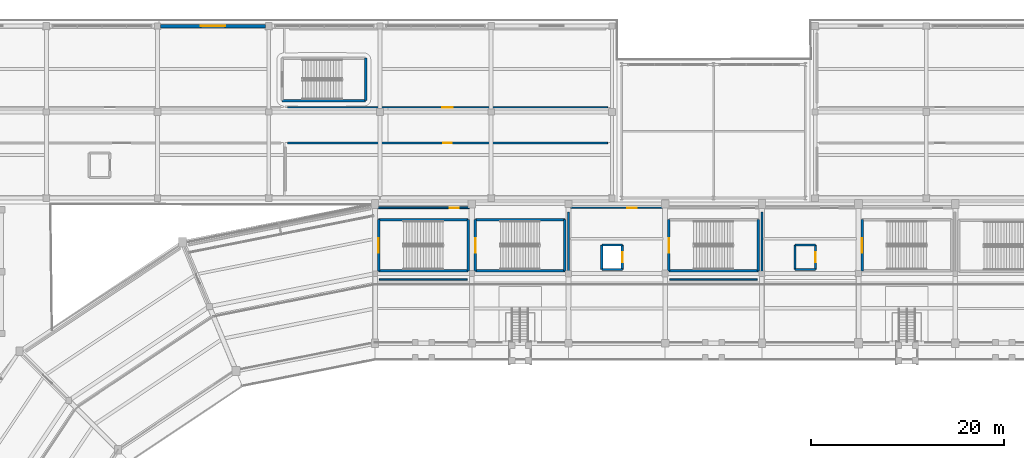
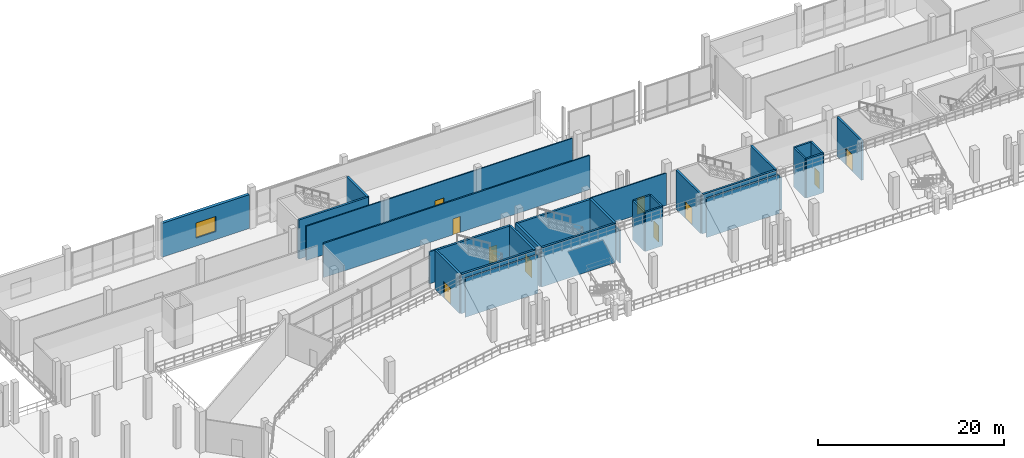
# One storey, part 83 of 127: 31 walls, 10 doors, 1 window, 11 openings.
"""IFC4 building model written with IfcOpenShell, lengths in metres."""

from ifc_helpers import new_model, si_unit, direction, frame, frame_2d, origin, place, context, subcontext, project, spatial, rectangle, extrude, material, layer, layer_set, type_object, element, fill, save


model = new_model("IFC4")

# Units and contexts
model_context = context("Model", 3, precision=1e-05, world=origin(), true_north=direction((0.0, 1.0)))
body_context = subcontext(model_context, "Body", "Model", "MODEL_VIEW")
ifc_project = project(units=[si_unit("LENGTHUNIT", "METRE"), si_unit("AREAUNIT", "SQUARE_METRE"), si_unit("VOLUMEUNIT", "CUBIC_METRE"), si_unit("PLANEANGLEUNIT", "RADIAN"), si_unit("MASSUNIT", "GRAM", prefix="KILO")], contexts=[model_context])

# Site, building, storey
site_placement = place(None, origin())
site = spatial("IfcSite", under=ifc_project, at=site_placement, CompositionType="ELEMENT")
building_placement = place(site_placement, origin())
building = spatial("IfcBuilding", under=site, at=building_placement, Name="Candeia Ridge Stadium", CompositionType="ELEMENT")
storey_placement = place(building_placement, frame((0.0, 0.0, 10.800048828125)))
storey = spatial("IfcBuildingStorey", under=building, at=storey_placement, Name="L02", CompositionType="ELEMENT", Elevation=10.800048828125)

# Wall, opening, door
ifc_material_1 = material(Name="Gypsum Metal-Stud Partition", Category="gypsum")
ifc_layer_1 = layer(ifc_material_1, 0.14501953125, Name="Gypsum Metal-Stud Partition", Category="gypsum")
ifc_layer_set_1 = layer_set([ifc_layer_1], Name="Gypsum Metal-Stud Partition")
wall_type_1 = type_object("IfcWallType", Name="Athlete Recovery Partition 145", PredefinedType="PARTITIONING", material=ifc_layer_set_1)
wall_1_placement = place(storey_placement, frame((95.050048828125, 157.0, 0.0), z_axis=(0.0, 0.0, 1.0), x_axis=(-1.0, 0.0, 0.0)))
wall_1 = element("IfcWall", 1, at=wall_1_placement, inside=storey, type_object=wall_type_1, Name="Interior partition PT-L02-0425", PredefinedType="PARTITIONING", context=body_context, shape_type="SweptSolid", body=[
    extrude(rectangle(XDim=33.10009765625, YDim=0.14501953125, at=frame_2d((16.550048828125, 0.0))), origin(), (0.0, 0.0, 1.0), 4.5048828125),
])
opening_1_placement = place(wall_1_placement, frame((16.010009765625, 0.0, 0.0)))
opening_1 = element("IfcOpeningElement", 2, at=opening_1_placement, cuts=wall_1, Name="Opening ID08", PredefinedType="OPENING", context=body_context, shape_type="SweptSolid", body=[
    extrude(rectangle(XDim=1.080078125, YDim=2.25, at=frame_2d((0.5400390625, 1.125))), frame((0.0, 0.08251953125, 0.0), z_axis=(0.0, -1.0, 0.0), x_axis=(1.0, 0.0, 0.0)), (0.0, 0.0, 1.0), 0.1650390625),
])
ifc_material_2 = material(Name="Western Red Cedar Acoustic Veneer", Category="wood")
door_type_1 = type_object("IfcDoorType", Name="Executive Skybox Entry Door 1080x2250", OperationType="NOTDEFINED", PredefinedType="DOOR", material=ifc_material_2)
door_1_placement = place(opening_1_placement, frame((1.080078125, 0.0, 0.0), z_axis=(0.0, 0.0, 1.0), x_axis=(-1.0, 0.0, 0.0)))
door_1 = element("IfcDoor", 3, at=door_1_placement, inside=storey, type_object=door_type_1, Name="Interior room door D-L02-0220", OperationType="SINGLE_SWING_RIGHT", OverallHeight=2.25, OverallWidth=1.080078125, PredefinedType="DOOR", context=body_context, shape_type="SweptSolid", body=[
    extrude(rectangle(XDim=1.080078125, YDim=2.25, at=frame_2d((0.5400390625, 1.125))), frame((0.0, 0.02490234375, 0.0), z_axis=(0.0, -1.0, 0.0), x_axis=(1.0, 0.0, 0.0)), (0.0, 0.0, 1.0), 0.050048828125),
])
fill(opening_1, door_1)

# Walls
ifc_material_3 = material(Name="Concrete C40/50", Category="concrete")
ifc_layer_2 = layer(ifc_material_3, 0.25, Name="Concrete C40/50", Category="concrete")
ifc_layer_set_2 = layer_set([ifc_layer_2], Name="Concrete C40/50")
wall_type_2 = type_object("IfcWallType", Name="Core Shear Wall Concrete 250", PredefinedType="SHEAR", material=ifc_layer_set_2)
wall_2_placement = place(storey_placement, frame((71.37548828125, 140.075439453125, 0.0), z_axis=(0.0, 0.0, 1.0), x_axis=(1.0, 0.0, 0.0)))
element("IfcWall", 4, at=wall_2_placement, inside=storey, type_object=wall_type_2, Name="Core C01 left shear wall L02", PredefinedType="SHEAR", context=body_context, shape_type="SweptSolid", body=[
    extrude(rectangle(XDim=9.2490234375, YDim=0.25, at=frame_2d((4.62451171875, 0.0))), origin(), (0.0, 0.0, 1.0), 5.14990234375),
])
wall_3_placement = place(storey_placement, frame((80.62451171875, 140.075439453125, 0.0), z_axis=(0.0, 0.0, 1.0), x_axis=(0.0, 1.0, 0.0)))
element("IfcWall", 5, at=wall_3_placement, inside=storey, type_object=wall_type_2, Name="Core C01 far shear wall L02", PredefinedType="SHEAR", context=body_context, shape_type="SweptSolid", body=[
    extrude(rectangle(XDim=5.299072265625, YDim=0.25, at=frame_2d((2.6494140625, 0.0))), origin(), (0.0, 0.0, 1.0), 5.14990234375),
])
wall_4_placement = place(storey_placement, frame((80.62451171875, 145.37451171875, 0.0), z_axis=(0.0, 0.0, 1.0), x_axis=(-1.0, 0.0, 0.0)))
element("IfcWall", 6, at=wall_4_placement, inside=storey, type_object=wall_type_2, Name="Core C01 right shear wall L02", PredefinedType="SHEAR", context=body_context, shape_type="SweptSolid", body=[
    extrude(rectangle(XDim=9.2490234375, YDim=0.25, at=frame_2d((4.62451171875, 0.0))), origin(), (0.0, 0.0, 1.0), 5.14990234375),
])

# Wall, opening, door
wall_5_placement = place(storey_placement, frame((71.37548828125, 145.37451171875, 0.0), z_axis=(0.0, 0.0, 1.0), x_axis=(0.0, -1.0, 0.0)))
wall_5 = element("IfcWall", 7, at=wall_5_placement, inside=storey, type_object=wall_type_2, Name="Core C01 near shear wall L02", PredefinedType="SHEAR", context=body_context, shape_type="SweptSolid", body=[
    extrude(rectangle(XDim=5.299072265625, YDim=0.25, at=frame_2d((2.6494140625, 0.0))), origin(), (0.0, 0.0, 1.0), 5.14990234375),
])
opening_2_placement = place(wall_5_placement, frame((1.899658203125, 0.0, 0.0)))
opening_2 = element("IfcOpeningElement", 8, at=opening_2_placement, cuts=wall_5, Name="Opening FD01", PredefinedType="OPENING", context=body_context, shape_type="SweptSolid", body=[
    extrude(rectangle(XDim=1.5, YDim=2.199951171875, at=frame_2d((0.75, 1.10009765625))), frame((0.0, 0.135009765625, 0.0), z_axis=(0.0, -1.0, 0.0), x_axis=(1.0, 0.0, 0.0)), (0.0, 0.0, 1.0), 0.27001953125),
])
ifc_material_4 = material(Name="Galvanized Fire-Rated Steel", Category="steel")
door_type_2 = type_object("IfcDoorType", Name="Exit Stair Core Fire Door 1500x2200", OperationType="NOTDEFINED", PredefinedType="DOOR", material=ifc_material_4)
door_2_placement = place(opening_2_placement, origin())
door_2 = element("IfcDoor", 9, at=door_2_placement, inside=storey, type_object=door_type_2, Name="Exit stair fire door SD-ST01-L02", OperationType="DOUBLE_DOOR_SINGLE_SWING", OverallHeight=2.199951171875, OverallWidth=1.5, PredefinedType="DOOR", context=body_context, shape_type="SweptSolid", body=[
    extrude(rectangle(XDim=1.5, YDim=2.199951171875, at=frame_2d((0.75, 1.10009765625))), frame((0.0, 0.02490234375, 0.0), z_axis=(0.0, -1.0, 0.0), x_axis=(1.0, 0.0, 0.0)), (0.0, 0.0, 1.0), 0.050048828125),
])
fill(opening_2, door_2)

# Walls
wall_6_placement = place(storey_placement, frame((81.37548828125, 140.075439453125, 0.0), z_axis=(0.0, 0.0, 1.0), x_axis=(1.0, 0.0, 0.0)))
element("IfcWall", 10, at=wall_6_placement, inside=storey, type_object=wall_type_2, Name="Core C09 left shear wall L02", PredefinedType="SHEAR", context=body_context, shape_type="SweptSolid", body=[
    extrude(rectangle(XDim=9.2490234375, YDim=0.25, at=frame_2d((4.62451171875, 0.0))), origin(), (0.0, 0.0, 1.0), 5.14990234375),
])
wall_7_placement = place(storey_placement, frame((90.62451171875, 140.075439453125, 0.0), z_axis=(0.0, 0.0, 1.0), x_axis=(0.0, 1.0, 0.0)))
element("IfcWall", 11, at=wall_7_placement, inside=storey, type_object=wall_type_2, Name="Core C09 far shear wall L02", PredefinedType="SHEAR", context=body_context, shape_type="SweptSolid", body=[
    extrude(rectangle(XDim=5.299072265625, YDim=0.25, at=frame_2d((2.6494140625, 0.0))), origin(), (0.0, 0.0, 1.0), 5.14990234375),
])
wall_8_placement = place(storey_placement, frame((90.62451171875, 145.37451171875, 0.0), z_axis=(0.0, 0.0, 1.0), x_axis=(-1.0, 0.0, 0.0)))
element("IfcWall", 12, at=wall_8_placement, inside=storey, type_object=wall_type_2, Name="Core C09 right shear wall L02", PredefinedType="SHEAR", context=body_context, shape_type="SweptSolid", body=[
    extrude(rectangle(XDim=9.2490234375, YDim=0.25, at=frame_2d((4.62451171875, 0.0))), origin(), (0.0, 0.0, 1.0), 5.14990234375),
])

# Wall, opening, door
wall_9_placement = place(storey_placement, frame((81.37548828125, 145.37451171875, 0.0), z_axis=(0.0, 0.0, 1.0), x_axis=(0.0, -1.0, 0.0)))
wall_9 = element("IfcWall", 13, at=wall_9_placement, inside=storey, type_object=wall_type_2, Name="Core C09 near shear wall L02", PredefinedType="SHEAR", context=body_context, shape_type="SweptSolid", body=[
    extrude(rectangle(XDim=5.299072265625, YDim=0.25, at=frame_2d((2.6494140625, 0.0))), origin(), (0.0, 0.0, 1.0), 5.14990234375),
])
opening_3_placement = place(wall_9_placement, frame((1.899658203125, 0.0, 0.0)))
opening_3 = element("IfcOpeningElement", 14, at=opening_3_placement, cuts=wall_9, Name="Opening FD01", PredefinedType="OPENING", context=body_context, shape_type="SweptSolid", body=[
    extrude(rectangle(XDim=1.5, YDim=2.199951171875, at=frame_2d((0.75, 1.10009765625))), frame((0.0, 0.135009765625, 0.0), z_axis=(0.0, -1.0, 0.0), x_axis=(1.0, 0.0, 0.0)), (0.0, 0.0, 1.0), 0.27001953125),
])
door_3_placement = place(opening_3_placement, origin())
door_3 = element("IfcDoor", 15, at=door_3_placement, inside=storey, type_object=door_type_2, Name="Exit stair fire door SD-ST09-L02", OperationType="DOUBLE_DOOR_SINGLE_SWING", OverallHeight=2.199951171875, OverallWidth=1.5, PredefinedType="DOOR", context=body_context, shape_type="SweptSolid", body=[
    extrude(rectangle(XDim=1.5, YDim=2.199951171875, at=frame_2d((0.75, 1.10009765625))), frame((0.0, 0.02490234375, 0.0), z_axis=(0.0, -1.0, 0.0), x_axis=(1.0, 0.0, 0.0)), (0.0, 0.0, 1.0), 0.050048828125),
])
fill(opening_3, door_3)

wall_10_placement = place(storey_placement, frame((121.37548828125, 145.37451171875, 0.0), z_axis=(0.0, 0.0, 1.0), x_axis=(0.0, -1.0, 0.0)))
wall_10 = element("IfcWall", 16, at=wall_10_placement, inside=storey, type_object=wall_type_2, Name="Core C10 near shear wall L02", PredefinedType="SHEAR", context=body_context, shape_type="SweptSolid", body=[
    extrude(rectangle(XDim=5.299072265625, YDim=0.25, at=frame_2d((2.6494140625, 0.0))), origin(), (0.0, 0.0, 1.0), 5.14990234375),
])
opening_4_placement = place(wall_10_placement, frame((1.899658203125, 0.0, 0.0)))
opening_4 = element("IfcOpeningElement", 17, at=opening_4_placement, cuts=wall_10, Name="Opening FD01", PredefinedType="OPENING", context=body_context, shape_type="SweptSolid", body=[
    extrude(rectangle(XDim=1.5, YDim=2.199951171875, at=frame_2d((0.75, 1.10009765625))), frame((0.0, 0.135009765625, 0.0), z_axis=(0.0, -1.0, 0.0), x_axis=(1.0, 0.0, 0.0)), (0.0, 0.0, 1.0), 0.27001953125),
])
door_4_placement = place(opening_4_placement, origin())
door_4 = element("IfcDoor", 18, at=door_4_placement, inside=storey, type_object=door_type_2, Name="Exit stair fire door SD-ST10-L02", OperationType="DOUBLE_DOOR_SINGLE_SWING", OverallHeight=2.199951171875, OverallWidth=1.5, PredefinedType="DOOR", context=body_context, shape_type="SweptSolid", body=[
    extrude(rectangle(XDim=1.5, YDim=2.199951171875, at=frame_2d((0.75, 1.10009765625))), frame((0.0, 0.02490234375, 0.0), z_axis=(0.0, -1.0, 0.0), x_axis=(1.0, 0.0, 0.0)), (0.0, 0.0, 1.0), 0.050048828125),
])
fill(opening_4, door_4)

# Walls
wall_11_placement = place(storey_placement, frame((61.37548828125, 157.67529296875, 0.0), z_axis=(0.0, 0.0, 1.0), x_axis=(1.0, 0.0, 0.0)))
element("IfcWall", 19, at=wall_11_placement, inside=storey, type_object=wall_type_2, Name="Core C15 left shear wall L02", PredefinedType="SHEAR", context=body_context, shape_type="SweptSolid", body=[
    extrude(rectangle(XDim=8.649169921875, YDim=0.25, at=frame_2d((4.32470703125, 0.0))), origin(), (0.0, 0.0, 1.0), 5.14990234375),
])
wall_12_placement = place(storey_placement, frame((70.024658203125, 157.67529296875, 0.0), z_axis=(0.0, 0.0, 1.0), x_axis=(0.0, 1.0, 0.0)))
element("IfcWall", 20, at=wall_12_placement, inside=storey, type_object=wall_type_2, Name="Core C15 far shear wall L02", PredefinedType="SHEAR", context=body_context, shape_type="SweptSolid", body=[
    extrude(rectangle(XDim=4.3994140625, YDim=0.25, at=frame_2d((2.19970703125, 0.0))), origin(), (0.0, 0.0, 1.0), 5.14990234375),
])
wall_13_placement = place(storey_placement, frame((101.37548828125, 140.075439453125, 0.0), z_axis=(0.0, 0.0, 1.0), x_axis=(1.0, 0.0, 0.0)))
element("IfcWall", 21, at=wall_13_placement, inside=storey, type_object=wall_type_2, Name="Core C17 left shear wall L02", PredefinedType="SHEAR", context=body_context, shape_type="SweptSolid", body=[
    extrude(rectangle(XDim=9.2490234375, YDim=0.25, at=frame_2d((4.62451171875, 0.0))), origin(), (0.0, 0.0, 1.0), 5.14990234375),
])
wall_14_placement = place(storey_placement, frame((110.62451171875, 140.075439453125, 0.0), z_axis=(0.0, 0.0, 1.0), x_axis=(0.0, 1.0, 0.0)))
element("IfcWall", 22, at=wall_14_placement, inside=storey, type_object=wall_type_2, Name="Core C17 far shear wall L02", PredefinedType="SHEAR", context=body_context, shape_type="SweptSolid", body=[
    extrude(rectangle(XDim=5.299072265625, YDim=0.25, at=frame_2d((2.6494140625, 0.0))), origin(), (0.0, 0.0, 1.0), 5.14990234375),
])

# Wall, opening, door
wall_15_placement = place(storey_placement, frame((101.37548828125, 145.37451171875, 0.0), z_axis=(0.0, 0.0, 1.0), x_axis=(0.0, -1.0, 0.0)))
wall_15 = element("IfcWall", 23, at=wall_15_placement, inside=storey, type_object=wall_type_2, Name="Core C17 near shear wall L02", PredefinedType="SHEAR", context=body_context, shape_type="SweptSolid", body=[
    extrude(rectangle(XDim=5.299072265625, YDim=0.25, at=frame_2d((2.6494140625, 0.0))), origin(), (0.0, 0.0, 1.0), 5.14990234375),
])
opening_5_placement = place(wall_15_placement, frame((1.899658203125, 0.0, 0.0)))
opening_5 = element("IfcOpeningElement", 24, at=opening_5_placement, cuts=wall_15, Name="Opening FD01", PredefinedType="OPENING", context=body_context, shape_type="SweptSolid", body=[
    extrude(rectangle(XDim=1.5, YDim=2.199951171875, at=frame_2d((0.75, 1.10009765625))), frame((0.0, 0.135009765625, 0.0), z_axis=(0.0, -1.0, 0.0), x_axis=(1.0, 0.0, 0.0)), (0.0, 0.0, 1.0), 0.27001953125),
])
door_5_placement = place(opening_5_placement, origin())
door_5 = element("IfcDoor", 25, at=door_5_placement, inside=storey, type_object=door_type_2, Name="Exit stair fire door SD-ST17-L02", OperationType="DOUBLE_DOOR_SINGLE_SWING", OverallHeight=2.199951171875, OverallWidth=1.5, PredefinedType="DOOR", context=body_context, shape_type="SweptSolid", body=[
    extrude(rectangle(XDim=1.5, YDim=2.199951171875, at=frame_2d((0.75, 1.10009765625))), frame((0.0, 0.02490234375, 0.0), z_axis=(0.0, -1.0, 0.0), x_axis=(1.0, 0.0, 0.0)), (0.0, 0.0, 1.0), 0.050048828125),
])
fill(opening_5, door_5)

# Wall, opening, window
ifc_layer_3 = layer(ifc_material_3, 0.360107421875, Name="Concrete C40/50", Category="concrete")
ifc_layer_set_3 = layer_set([ifc_layer_3], Name="Concrete C40/50")
wall_type_3 = type_object("IfcWallType", Name="Exterior Basalt Plinth Wall 360", PredefinedType="SOLIDWALL", material=ifc_layer_set_3)
wall_16_placement = place(storey_placement, frame((48.81298828125, 165.39990234375, 0.0), z_axis=(0.0, 0.0, 1.0), x_axis=(1.0, 0.0, 0.0)))
wall_16 = element("IfcWall", 26, at=wall_16_placement, inside=storey, type_object=wall_type_3, Name="Exterior facade wall EW-L02-0209", PredefinedType="SOLIDWALL", context=body_context, shape_type="SweptSolid", body=[
    extrude(rectangle(XDim=10.84912109375, YDim=0.360107421875, at=frame_2d((5.424560546875, 0.0))), origin(), (0.0, 0.0, 1.0), 4.454833984375),
])
opening_6_placement = place(wall_16_placement, frame((4.174560546875, 0.0, 1.050048828125)))
opening_6 = element("IfcOpeningElement", 27, at=opening_6_placement, cuts=wall_16, Name="Opening W13", PredefinedType="OPENING", context=body_context, shape_type="SweptSolid", body=[
    extrude(rectangle(XDim=2.5, YDim=2.0, at=frame_2d((1.25, 1.0))), frame((0.0, 0.18994140625, 0.0), z_axis=(0.0, -1.0, 0.0), x_axis=(1.0, 0.0, 0.0)), (0.0, 0.0, 1.0), 0.380126953125),
])
ifc_material_5 = material(Name="Tempered Solar-Control Double Glazing", Category="glass")
window_type = type_object("IfcWindowType", Name="Ticketing Hall Window 2500x2000", PartitioningType="SINGLE_PANEL", PredefinedType="WINDOW", material=ifc_material_5)
window_placement = place(opening_6_placement, origin())
window = element("IfcWindow", 28, at=window_placement, inside=storey, type_object=window_type, Name="Exterior window WIN-L02-116", OverallHeight=2.0, OverallWidth=2.5, PartitioningType="SINGLE_PANEL", PredefinedType="WINDOW", context=body_context, shape_type="SweptSolid", body=[
    extrude(rectangle(XDim=2.5, YDim=2.0, at=frame_2d((1.25, 1.0))), frame((0.0, 0.030029296875, 0.0), z_axis=(0.0, -1.0, 0.0), x_axis=(1.0, 0.0, 0.0)), (0.0, 0.0, 1.0), 0.06005859375),
])
fill(opening_6, window)

# Wall, opening, door
ifc_layer_4 = layer(ifc_material_1, 0.135009765625, Name="Gypsum Metal-Stud Partition", Category="gypsum")
ifc_layer_set_4 = layer_set([ifc_layer_4], Name="Gypsum Metal-Stud Partition")
wall_type_4 = type_object("IfcWallType", Name="General Room Partition 135", PredefinedType="PARTITIONING", material=ifc_layer_set_4)
wall_17_placement = place(storey_placement, frame((91.25, 146.60009765625, 0.0), z_axis=(0.0, 0.0, 1.0), x_axis=(1.0, 0.0, 0.0)))
wall_17 = element("IfcWall", 29, at=wall_17_placement, inside=storey, type_object=wall_type_4, Name="Interior partition PT-L02-0453", PredefinedType="PARTITIONING", context=body_context, shape_type="SweptSolid", body=[
    extrude(rectangle(XDim=9.4599609375, YDim=0.135009765625, at=frame_2d((4.72998046875, 0.0))), origin(), (0.0, 0.0, 1.0), 4.2548828125),
])
opening_7_placement = place(wall_17_placement, frame((5.85009765625, 0.0, 0.0)))
opening_7 = element("IfcOpeningElement", 30, at=opening_7_placement, cuts=wall_17, Name="Opening ID17", PredefinedType="OPENING", context=body_context, shape_type="SweptSolid", body=[
    extrude(rectangle(XDim=0.9599609375, YDim=2.14990234375, at=frame_2d((0.47998046875, 1.074951171875))), frame((0.0, 0.077392578125, 0.0), z_axis=(0.0, -1.0, 0.0), x_axis=(1.0, 0.0, 0.0)), (0.0, 0.0, 1.0), 0.155029296875),
])
ifc_material_6 = material(Name="Solid Core Cedar Veneer", Category="wood")
door_type_3 = type_object("IfcDoorType", Name="Ticketing Office Single Door 960x2150", OperationType="NOTDEFINED", PredefinedType="DOOR", material=ifc_material_6)
door_6_placement = place(opening_7_placement, origin())
door_6 = element("IfcDoor", 31, at=door_6_placement, inside=storey, type_object=door_type_3, Name="Interior room door D-L02-0234", OperationType="SINGLE_SWING_RIGHT", OverallHeight=2.14990234375, OverallWidth=0.9599609375, PredefinedType="DOOR", context=body_context, shape_type="SweptSolid", body=[
    extrude(rectangle(XDim=0.9599609375, YDim=2.14990234375, at=frame_2d((0.47998046875, 1.074951171875))), frame((0.0, 0.02490234375, 0.0), z_axis=(0.0, -1.0, 0.0), x_axis=(1.0, 0.0, 0.0)), (0.0, 0.0, 1.0), 0.050048828125),
])
fill(opening_7, door_6)

# Wall
ifc_layer_5 = layer(ifc_material_3, 0.219970703125, Name="Concrete C40/50", Category="concrete")
ifc_layer_set_5 = layer_set([ifc_layer_5], Name="Concrete C40/50")
wall_type_5 = type_object("IfcWallType", Name="Lift & Riser Shaft Wall 220", PredefinedType="SHEAR", material=ifc_layer_set_5)
wall_18_placement = place(storey_placement, frame((94.43994140625, 140.239990234375, 0.0), z_axis=(0.0, 0.0, 1.0), x_axis=(1.0, 0.0, 0.0)))
element("IfcWall", 32, at=wall_18_placement, inside=storey, type_object=wall_type_5, Name="Lift PL1 shaft wall L02 south", PredefinedType="SHEAR", context=body_context, shape_type="SweptSolid", body=[
    extrude(rectangle(XDim=2.1201171875, YDim=0.219970703125, at=frame_2d((1.06005859375, 0.0))), origin(), (0.0, 0.0, 1.0), 5.14990234375),
])

# Wall, opening, door
wall_19_placement = place(storey_placement, frame((96.56005859375, 140.239990234375, 0.0), z_axis=(0.0, 0.0, 1.0), x_axis=(0.0, 1.0, 0.0)))
wall_19 = element("IfcWall", 33, at=wall_19_placement, inside=storey, type_object=wall_type_5, Name="Lift PL1 shaft wall L02 east", PredefinedType="SHEAR", context=body_context, shape_type="SweptSolid", body=[
    extrude(rectangle(XDim=2.52001953125, YDim=0.219970703125, at=frame_2d((1.260009765625, 0.0))), origin(), (0.0, 0.0, 1.0), 5.14990234375),
])
opening_8_placement = place(wall_19_placement, frame((0.735107421875, 0.0, 0.0)))
opening_8 = element("IfcOpeningElement", 34, at=opening_8_placement, cuts=wall_19, Name="Opening LD02", PredefinedType="OPENING", context=body_context, shape_type="SweptSolid", body=[
    extrude(rectangle(XDim=1.050048828125, YDim=2.14990234375, at=frame_2d((0.52490234375, 1.074951171875))), frame((0.0, 0.119873046875, 0.0), z_axis=(0.0, -1.0, 0.0), x_axis=(1.0, 0.0, 0.0)), (0.0, 0.0, 1.0), 0.239990234375),
])
ifc_material_7 = material(Name="Brushed Stainless Steel", Category="steel")
door_type_4 = type_object("IfcDoorType", Name="Passenger Lift Landing Door 1050x2150", OperationType="NOTDEFINED", PredefinedType="DOOR", material=ifc_material_7)
door_7_placement = place(opening_8_placement, origin())
door_7 = element("IfcDoor", 35, at=door_7_placement, inside=storey, type_object=door_type_4, Name="Lift landing sliding door LD-PL1-L02", OperationType="DOUBLE_DOOR_SLIDING", OverallHeight=2.14990234375, OverallWidth=1.050048828125, PredefinedType="DOOR", context=body_context, shape_type="SweptSolid", body=[
    extrude(rectangle(XDim=1.050048828125, YDim=2.14990234375, at=frame_2d((0.52490234375, 1.074951171875))), frame((0.0, 0.02490234375, 0.0), z_axis=(0.0, -1.0, 0.0), x_axis=(1.0, 0.0, 0.0)), (0.0, 0.0, 1.0), 0.050048828125),
])
fill(opening_8, door_7)

# Walls
wall_20_placement = place(storey_placement, frame((96.56005859375, 142.760009765625, 0.0), z_axis=(0.0, 0.0, 1.0), x_axis=(-1.0, 0.0, 0.0)))
element("IfcWall", 36, at=wall_20_placement, inside=storey, type_object=wall_type_5, Name="Lift PL1 shaft wall L02 north", PredefinedType="SHEAR", context=body_context, shape_type="SweptSolid", body=[
    extrude(rectangle(XDim=2.1201171875, YDim=0.219970703125, at=frame_2d((1.06005859375, 0.0))), origin(), (0.0, 0.0, 1.0), 5.14990234375),
])
wall_21_placement = place(storey_placement, frame((94.43994140625, 142.760009765625, 0.0), z_axis=(0.0, 0.0, 1.0), x_axis=(0.0, -1.0, 0.0)))
element("IfcWall", 37, at=wall_21_placement, inside=storey, type_object=wall_type_5, Name="Lift PL1 shaft wall L02 west", PredefinedType="SHEAR", context=body_context, shape_type="SweptSolid", body=[
    extrude(rectangle(XDim=2.52001953125, YDim=0.219970703125, at=frame_2d((1.260009765625, 0.0))), origin(), (0.0, 0.0, 1.0), 5.14990234375),
])
wall_22_placement = place(storey_placement, frame((114.43994140625, 140.239990234375, 0.0), z_axis=(0.0, 0.0, 1.0), x_axis=(1.0, 0.0, 0.0)))
element("IfcWall", 38, at=wall_22_placement, inside=storey, type_object=wall_type_5, Name="Lift PL2 shaft wall L02 south", PredefinedType="SHEAR", context=body_context, shape_type="SweptSolid", body=[
    extrude(rectangle(XDim=2.1201171875, YDim=0.219970703125, at=frame_2d((1.06005859375, 0.0))), origin(), (0.0, 0.0, 1.0), 5.14990234375),
])

# Wall, opening, door
wall_23_placement = place(storey_placement, frame((116.56005859375, 140.239990234375, 0.0), z_axis=(0.0, 0.0, 1.0), x_axis=(0.0, 1.0, 0.0)))
wall_23 = element("IfcWall", 39, at=wall_23_placement, inside=storey, type_object=wall_type_5, Name="Lift PL2 shaft wall L02 east", PredefinedType="SHEAR", context=body_context, shape_type="SweptSolid", body=[
    extrude(rectangle(XDim=2.52001953125, YDim=0.219970703125, at=frame_2d((1.260009765625, 0.0))), origin(), (0.0, 0.0, 1.0), 5.14990234375),
])
opening_9_placement = place(wall_23_placement, frame((0.735107421875, 0.0, 0.0)))
opening_9 = element("IfcOpeningElement", 40, at=opening_9_placement, cuts=wall_23, Name="Opening LD02", PredefinedType="OPENING", context=body_context, shape_type="SweptSolid", body=[
    extrude(rectangle(XDim=1.050048828125, YDim=2.14990234375, at=frame_2d((0.52490234375, 1.074951171875))), frame((0.0, 0.119873046875, 0.0), z_axis=(0.0, -1.0, 0.0), x_axis=(1.0, 0.0, 0.0)), (0.0, 0.0, 1.0), 0.239990234375),
])
door_8_placement = place(opening_9_placement, origin())
door_8 = element("IfcDoor", 41, at=door_8_placement, inside=storey, type_object=door_type_4, Name="Lift landing sliding door LD-PL2-L02", OperationType="DOUBLE_DOOR_SLIDING", OverallHeight=2.14990234375, OverallWidth=1.050048828125, PredefinedType="DOOR", context=body_context, shape_type="SweptSolid", body=[
    extrude(rectangle(XDim=1.050048828125, YDim=2.14990234375, at=frame_2d((0.52490234375, 1.074951171875))), frame((0.0, 0.02490234375, 0.0), z_axis=(0.0, -1.0, 0.0), x_axis=(1.0, 0.0, 0.0)), (0.0, 0.0, 1.0), 0.050048828125),
])
fill(opening_9, door_8)

# Walls
wall_24_placement = place(storey_placement, frame((116.56005859375, 142.760009765625, 0.0), z_axis=(0.0, 0.0, 1.0), x_axis=(-1.0, 0.0, 0.0)))
element("IfcWall", 42, at=wall_24_placement, inside=storey, type_object=wall_type_5, Name="Lift PL2 shaft wall L02 north", PredefinedType="SHEAR", context=body_context, shape_type="SweptSolid", body=[
    extrude(rectangle(XDim=2.1201171875, YDim=0.219970703125, at=frame_2d((1.06005859375, 0.0))), origin(), (0.0, 0.0, 1.0), 5.14990234375),
])
wall_25_placement = place(storey_placement, frame((114.43994140625, 142.760009765625, 0.0), z_axis=(0.0, 0.0, 1.0), x_axis=(0.0, -1.0, 0.0)))
element("IfcWall", 43, at=wall_25_placement, inside=storey, type_object=wall_type_5, Name="Lift PL2 shaft wall L02 west", PredefinedType="SHEAR", context=body_context, shape_type="SweptSolid", body=[
    extrude(rectangle(XDim=2.52001953125, YDim=0.219970703125, at=frame_2d((1.260009765625, 0.0))), origin(), (0.0, 0.0, 1.0), 5.14990234375),
])

# Wall, opening, door
ifc_material_8 = material(Name="Gypsum Acoustic Twin-Stud Assembly", Category="gypsum")
ifc_layer_6 = layer(ifc_material_8, 0.175048828125, Name="Gypsum Acoustic Twin-Stud Assembly", Category="gypsum")
ifc_layer_set_6 = layer_set([ifc_layer_6], Name="Gypsum Acoustic Twin-Stud Assembly")
wall_type_6 = type_object("IfcWallType", Name="Museum Acoustic Gallery Wall 175", PredefinedType="PARTITIONING", material=ifc_layer_set_6)
wall_26_placement = place(storey_placement, frame((61.949951171875, 153.300048828125, 0.0), z_axis=(0.0, 0.0, 1.0), x_axis=(1.0, 0.0, 0.0)))
wall_26 = element("IfcWall", 44, at=wall_26_placement, inside=storey, type_object=wall_type_6, Name="Interior partition PT-L02-0423", PredefinedType="PARTITIONING", context=body_context, shape_type="SweptSolid", body=[
    extrude(rectangle(XDim=33.10009765625, YDim=0.175048828125, at=frame_2d((16.550048828125, 0.0))), origin(), (0.0, 0.0, 1.0), 4.5048828125),
])
opening_10_placement = place(wall_26_placement, frame((16.10009765625, 0.0, 0.0)))
opening_10 = element("IfcOpeningElement", 45, at=opening_10_placement, cuts=wall_26, Name="Opening ID07", PredefinedType="OPENING", context=body_context, shape_type="SweptSolid", body=[
    extrude(rectangle(XDim=0.89990234375, YDim=2.10009765625, at=frame_2d((0.449951171875, 1.050048828125))), frame((0.0, 0.097412109375, 0.0), z_axis=(0.0, -1.0, 0.0), x_axis=(1.0, 0.0, 0.0)), (0.0, 0.0, 1.0), 0.195068359375),
])
ifc_material_9 = material(Name="Moisture-Resistant Laminate", Category="wood")
door_type_5 = type_object("IfcDoorType", Name="Sanitary Lobby Single Door 900x2100", OperationType="NOTDEFINED", PredefinedType="DOOR", material=ifc_material_9)
door_9_placement = place(opening_10_placement, frame((0.89990234375, 0.0, 0.0), z_axis=(0.0, 0.0, 1.0), x_axis=(-1.0, 0.0, 0.0)))
door_9 = element("IfcDoor", 46, at=door_9_placement, inside=storey, type_object=door_type_5, Name="Interior room door D-L02-0219", OperationType="SINGLE_SWING_LEFT", OverallHeight=2.10009765625, OverallWidth=0.89990234375, PredefinedType="DOOR", context=body_context, shape_type="SweptSolid", body=[
    extrude(rectangle(XDim=0.89990234375, YDim=2.10009765625, at=frame_2d((0.449951171875, 1.050048828125))), frame((0.0, 0.02490234375, 0.0), z_axis=(0.0, -1.0, 0.0), x_axis=(1.0, 0.0, 0.0)), (0.0, 0.0, 1.0), 0.050048828125),
])
fill(opening_10, door_9)

# Walls
wall_27_placement = place(storey_placement, frame((110.510009765625, 139.199951171875, 0.0), z_axis=(0.0, 0.0, 1.0), x_axis=(-1.0, 0.0, 0.0)))
element("IfcWall", 47, at=wall_27_placement, inside=storey, type_object=wall_type_6, Name="Demising partition PT-L02-0452", PredefinedType="PARTITIONING", context=body_context, shape_type="SweptSolid", body=[
    extrude(rectangle(XDim=9.06005859375, YDim=0.175048828125, at=frame_2d((4.530029296875, 0.0))), origin(), (0.0, 0.0, 1.0), 5.119873046875),
])
ifc_material_10 = material(Name="Moisture-Resistant Masonry & Tile", Category="masonry")
ifc_layer_7 = layer(ifc_material_10, 0.2099609375, Name="Moisture-Resistant Masonry & Tile", Category="masonry")
ifc_layer_set_7 = layer_set([ifc_layer_7], Name="Moisture-Resistant Masonry & Tile")
wall_type_7 = type_object("IfcWallType", Name="Sanitary Wet-Wall Plumbing Chase 210", PredefinedType="PLUMBINGWALL", material=ifc_layer_set_7)
wall_28_placement = place(storey_placement, frame((111.0, 139.64990234375, 0.0), z_axis=(0.0, 0.0, 1.0), x_axis=(0.0, 1.0, 0.0)))
element("IfcWall", 48, at=wall_28_placement, inside=storey, type_object=wall_type_7, Name="Demising partition PT-L02-0450", PredefinedType="PLUMBINGWALL", context=body_context, shape_type="SweptSolid", body=[
    extrude(rectangle(XDim=6.5, YDim=0.2099609375, at=frame_2d((3.25, 0.0))), origin(), (0.0, 0.0, 1.0), 4.21484375),
])
ifc_layer_8 = layer(ifc_material_8, 0.169921875, Name="Gypsum Acoustic Twin-Stud Assembly", Category="gypsum")
ifc_layer_set_8 = layer_set([ifc_layer_8], Name="Gypsum Acoustic Twin-Stud Assembly")
wall_type_8 = type_object("IfcWallType", Name="Skybox Demising Acoustic Wall 170", PredefinedType="PARTITIONING", material=ifc_layer_set_8)
wall_29_placement = place(storey_placement, frame((91.0, 139.64990234375, 0.0), z_axis=(0.0, 0.0, 1.0), x_axis=(0.0, 1.0, 0.0)))
element("IfcWall", 49, at=wall_29_placement, inside=storey, type_object=wall_type_8, Name="Demising partition PT-L02-0454", PredefinedType="PARTITIONING", context=body_context, shape_type="SweptSolid", body=[
    extrude(rectangle(XDim=6.5, YDim=0.169921875, at=frame_2d((3.25, 0.0))), origin(), (0.0, 0.0, 1.0), 4.284912109375),
])

# Wall, opening, door
wall_30_placement = place(storey_placement, frame((71.25, 146.60009765625, 0.0), z_axis=(0.0, 0.0, 1.0), x_axis=(1.0, 0.0, 0.0)))
wall_30 = element("IfcWall", 50, at=wall_30_placement, inside=storey, type_object=wall_type_8, Name="Interior partition PT-L02-0455", PredefinedType="PARTITIONING", context=body_context, shape_type="SweptSolid", body=[
    extrude(rectangle(XDim=9.4599609375, YDim=0.169921875, at=frame_2d((4.72998046875, 0.0))), origin(), (0.0, 0.0, 1.0), 4.21484375),
])
opening_11_placement = place(wall_30_placement, frame((7.455078125, 0.0, 0.0)))
opening_11 = element("IfcOpeningElement", 51, at=opening_11_placement, cuts=wall_30, Name="Opening ID05", PredefinedType="OPENING", context=body_context, shape_type="SweptSolid", body=[
    extrude(rectangle(XDim=0.949951171875, YDim=2.14990234375, at=frame_2d((0.47509765625, 1.074951171875))), frame((0.0, 0.094970703125, 0.0), z_axis=(0.0, -1.0, 0.0), x_axis=(1.0, 0.0, 0.0)), (0.0, 0.0, 1.0), 0.18994140625),
])
door_type_6 = type_object("IfcDoorType", Name="General Room Single Door 950x2150", OperationType="NOTDEFINED", PredefinedType="DOOR", material=ifc_material_6)
door_10_placement = place(opening_11_placement, frame((0.949951171875, 0.0, 0.0), z_axis=(0.0, 0.0, 1.0), x_axis=(-1.0, 0.0, 0.0)))
door_10 = element("IfcDoor", 52, at=door_10_placement, inside=storey, type_object=door_type_6, Name="Interior room door D-L02-0235", OperationType="SINGLE_SWING_LEFT", OverallHeight=2.14990234375, OverallWidth=0.949951171875, PredefinedType="DOOR", context=body_context, shape_type="SweptSolid", body=[
    extrude(rectangle(XDim=0.949951171875, YDim=2.14990234375, at=frame_2d((0.47509765625, 1.074951171875))), frame((0.0, 0.02490234375, 0.0), z_axis=(0.0, -1.0, 0.0), x_axis=(1.0, 0.0, 0.0)), (0.0, 0.0, 1.0), 0.050048828125),
])
fill(opening_11, door_10)

# Wall
ifc_layer_9 = layer(ifc_material_1, 0.1298828125, Name="Gypsum Metal-Stud Partition", Category="gypsum")
ifc_layer_set_9 = layer_set([ifc_layer_9], Name="Gypsum Metal-Stud Partition")
wall_type_9 = type_object("IfcWallType", Name="Ticketing Back-Office Partition 130", PredefinedType="PARTITIONING", material=ifc_layer_set_9)
wall_31_placement = place(storey_placement, frame((80.510009765625, 139.199951171875, 0.0), z_axis=(0.0, 0.0, 1.0), x_axis=(-1.0, 0.0, 0.0)))
element("IfcWall", 53, at=wall_31_placement, inside=storey, type_object=wall_type_9, Name="Demising partition PT-L02-0456", PredefinedType="PARTITIONING", context=body_context, shape_type="SweptSolid", body=[
    extrude(rectangle(XDim=9.06005859375, YDim=0.1298828125, at=frame_2d((4.530029296875, 0.0))), origin(), (0.0, 0.0, 1.0), 5.119873046875),
])

save(model, "model.ifc")
